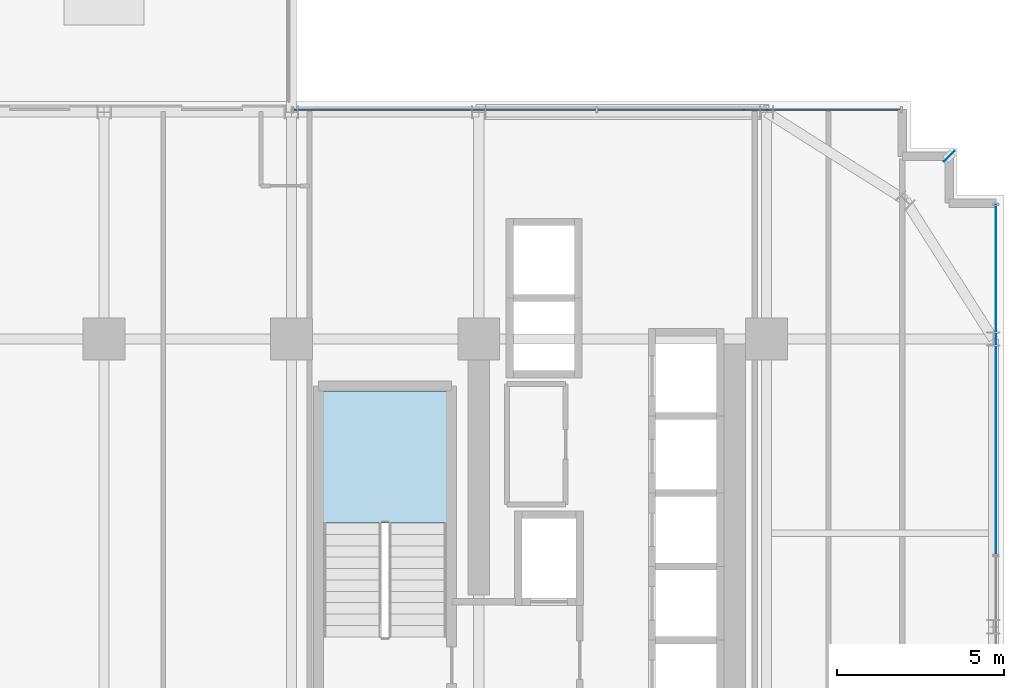
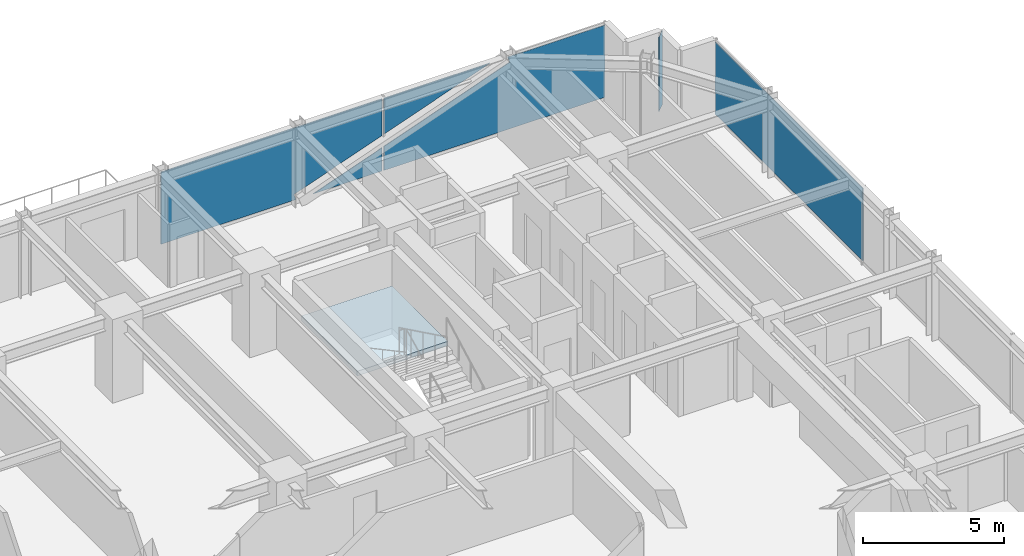
# One storey, part 31 of 40: 4 plates, 1 slab, 3 elements without a shape of their own.
"""IFC4 building model written with IfcOpenShell, lengths in metres."""

from ifc_helpers import new_model, si_unit, direction, frame, origin, origin_2d, place, context, subcontext, project, spatial, polyline, rectangle, outline, extrude, source, transform, mapped, material, layer, layer_set, type_object, element, aggregate, save


model = new_model("IFC4")

# Units and contexts
model_context = context("Model", 3, precision=1e-05, world=origin(), true_north=direction((0.0, 1.0)))
body_context = subcontext(model_context, "Body", "Model", "MODEL_VIEW")
ifc_project = project(units=[si_unit("LENGTHUNIT", "METRE"), si_unit("AREAUNIT", "SQUARE_METRE"), si_unit("VOLUMEUNIT", "CUBIC_METRE"), si_unit("PLANEANGLEUNIT", "RADIAN"), si_unit("MASSUNIT", "GRAM", prefix="KILO")], contexts=[model_context])

# Site, building, storey
site_placement = place(None, origin())
site = spatial("IfcSite", under=ifc_project, at=site_placement, CompositionType="ELEMENT")
building_placement = place(site_placement, origin())
building = spatial("IfcBuilding", under=site, at=building_placement, Name="Nahalor Promenade Grand Hotel", CompositionType="ELEMENT")
storey_placement = place(building_placement, frame((0.0, 0.0, 91.949951171875)))
storey = spatial("IfcBuildingStorey", under=building, at=storey_placement, Name="L22", CompositionType="ELEMENT", Elevation=91.949951171875)

# Curtain wall, plates
ifc_material_1 = material(Name="Anodised Bronze Aluminium EN AW-6063 T6", Category="aluminium")
curtain_wall_type = type_object("IfcCurtainWallType", Name="CW2 Typical Hotel Flush Bronze Unitised Curtain Wall", PredefinedType="USERDEFINED", material=ifc_material_1)
curtain_wall_1_placement = place(storey_placement, origin())
curtain_wall_1 = element("IfcCurtainWall", 1, at=curtain_wall_1_placement, inside=storey, type_object=curtain_wall_type, Name="L22 Curtain Wall CW-L22-N-3", ObjectType="UNITISED_CURTAIN_WALL", PredefinedType="USERDEFINED")
ifc_material_2 = material(Name="Low-E Laminated Solar Glass", Category="glass")
ifc_layer_1 = layer(ifc_material_2, 0.028076171875)
ifc_layer_set_1 = layer_set([ifc_layer_1], Name="Low-E Laminated Solar Glass")
plate_type_1 = type_object("IfcPlateType", Name="CWP2 Bronze Low-E Vision IGU 28mm", PredefinedType="CURTAIN_PANEL", material=ifc_layer_set_1)
plate_1_placement = place(storey_placement, frame((7.38134765625, 23.860107421875, 0.1298828125), z_axis=(0.0, 0.0, 1.0), x_axis=(1.0, 0.0, 0.0)))
plate_1 = element("IfcPlate", 2, at=plate_1_placement, type_object=plate_type_1, Name="CW-L22-N-3 Glazing Panel 0-0", PredefinedType="CURTAIN_PANEL", context=body_context, shape_type="SweptSolid", body=[
    extrude(outline(polyline([(-4.516357421875, 3.1201171875), (-4.516357421875, 0.0), (0.999267578125, 0.0), (0.910888671875, 0.246826171875), (4.516357421875, 1.5380859375), (4.516357421875, 3.1201171875), (-4.516357421875, 3.1201171875)])), frame((0.0, 0.01416015625, 0.0), z_axis=(0.0, -1.0, 0.0), x_axis=(1.0, 0.0, 0.0)), (0.0, 0.0, 1.0), 0.028076171875),
    extrude(outline(polyline([(1.704345703125, 0.0), (4.516357421875, 0.0), (4.516357421875, 1.007080078125), (1.704345703125, 0.0)])), frame((0.0, 0.01416015625, 0.0), z_axis=(0.0, -1.0, 0.0), x_axis=(1.0, 0.0, 0.0)), (0.0, 0.0, 1.0), 0.028076171875),
])
plate_2_placement = place(storey_placement, frame((16.478759765625, 23.860107421875, 0.1298828125), z_axis=(0.0, 0.0, 1.0), x_axis=(1.0, 0.0, 0.0)))
plate_2 = element("IfcPlate", 3, at=plate_2_placement, type_object=plate_type_1, Name="CW-L22-N-3 Glazing Panel 1-0", PredefinedType="CURTAIN_PANEL", context=body_context, shape_type="SweptSolid", body=[
    extrude(outline(polyline([(4.516357421875, 0.0), (4.516357421875, 3.1201171875), (0.54052734375, 3.1201171875), (0.629150390625, 2.873046875), (-4.516357421875, 1.0302734375), (-4.516357421875, 0.0), (4.516357421875, 0.0)])), frame((0.0, 0.01416015625, 0.0), z_axis=(0.0, -1.0, 0.0), x_axis=(1.0, 0.0, 0.0)), (0.0, 0.0, 1.0), 0.028076171875),
    extrude(outline(polyline([(-0.164306640625, 3.1201171875), (-4.516357421875, 3.1201171875), (-4.516357421875, 1.5615234375), (-0.164306640625, 3.1201171875)])), frame((0.0, 0.01416015625, 0.0), z_axis=(0.0, -1.0, 0.0), x_axis=(1.0, 0.0, 0.0)), (0.0, 0.0, 1.0), 0.028076171875),
])
aggregate(curtain_wall_1, [plate_1, plate_2])

# Stair, slab
ifc_material_3 = material(Name="Concrete B-50 (C40/50)", Category="concrete")
stair_type = type_object("IfcStairType", Name="Stair-ST1", PredefinedType="HALF_TURN_STAIR", material=ifc_material_3)
stair_placement = place(storey_placement, origin())
stair = element("IfcStair", 4, at=stair_placement, inside=storey, type_object=stair_type, Name="L22 ST1", PredefinedType="HALF_TURN_STAIR")
ifc_layer_2 = layer(ifc_material_3, 0.199951171875)
ifc_layer_set_2 = layer_set([ifc_layer_2], Name="Concrete B-50 (C40/50)")
slab_type = type_object("IfcSlabType", Name="Landing-ST1", PredefinedType="LANDING", material=ifc_layer_set_2)
slab_placement = place(storey_placement, frame((0.0, 0.0, 1.625)))
slab = element("IfcSlab", 5, at=slab_placement, type_object=slab_type, Name="ST1 landing 1", PredefinedType="LANDING", context=body_context, shape_type="SweptSolid", body=[
    extrude(outline(polyline([(7.449951171875, 11.5), (7.449951171875, 15.449951171875), (3.75, 15.449951171875), (3.75, 11.5), (7.449951171875, 11.5)])), origin(), (0.0, 0.0, 1.0), 0.199951171875),
])
aggregate(stair, [slab])

# Plate
ifc_layer_3 = layer(ifc_material_1, 0.02001953125)
ifc_layer_set_3 = layer_set([ifc_layer_3], Name="Anodised Bronze Aluminium EN AW-6063 T6")
plate_type_2 = type_object("IfcPlateType", Name="Plate-CornerFin-20", PredefinedType="SHEET", material=ifc_layer_set_3)
shared_shape_1 = source(origin(), body_context, "Body", "SweptSolid", [
    extrude(rectangle(XDim=0.449951171875, YDim=0.02001953125, at=origin_2d()), origin(), (0.0, 0.0, 1.0), 3.199951171875),
])
plate_3_placement = place(storey_placement, frame((22.4599609375, 22.4599609375, 0.0), z_axis=(0.0, 0.0, 1.0), x_axis=(0.707106781187, 0.707106781187, 0.0)))
element("IfcPlate", 6, at=plate_3_placement, inside=storey, type_object=plate_type_2, Name="FIN-L22-NE", PredefinedType="SHEET", context=body_context, shape_type="MappedRepresentation", body=[
    mapped(shared_shape_1, transform((0.0, 0.0, 0.0), scale=1.0)),
])

# Curtain wall, plate
curtain_wall_2_placement = place(storey_placement, origin())
curtain_wall_2 = element("IfcCurtainWall", 7, at=curtain_wall_2_placement, inside=storey, type_object=curtain_wall_type, Name="L22 Curtain Wall CW-L22-E-1", ObjectType="UNITISED_CURTAIN_WALL", PredefinedType="USERDEFINED")
shared_shape_2 = source(origin(), body_context, "Body", "SweptSolid", [
    extrude(rectangle(XDim=10.4326171875, YDim=0.028076171875, at=origin_2d()), origin(), (0.0, 0.0, 1.0), 3.1201171875),
])
plate_4_placement = place(storey_placement, frame((23.860107421875, 15.77880859375, 0.1298828125), z_axis=(0.0, 0.0, 1.0), x_axis=(0.0, 1.0, 0.0)))
plate_4 = element("IfcPlate", 8, at=plate_4_placement, type_object=plate_type_1, Name="CW-L22-E-1 Glazing Panel 3-0", PredefinedType="CURTAIN_PANEL", context=body_context, shape_type="MappedRepresentation", body=[
    mapped(shared_shape_2, transform((0.0, 0.0, 0.0), scale=1.0)),
])
aggregate(curtain_wall_2, [plate_4])

save(model, "model.ifc")
